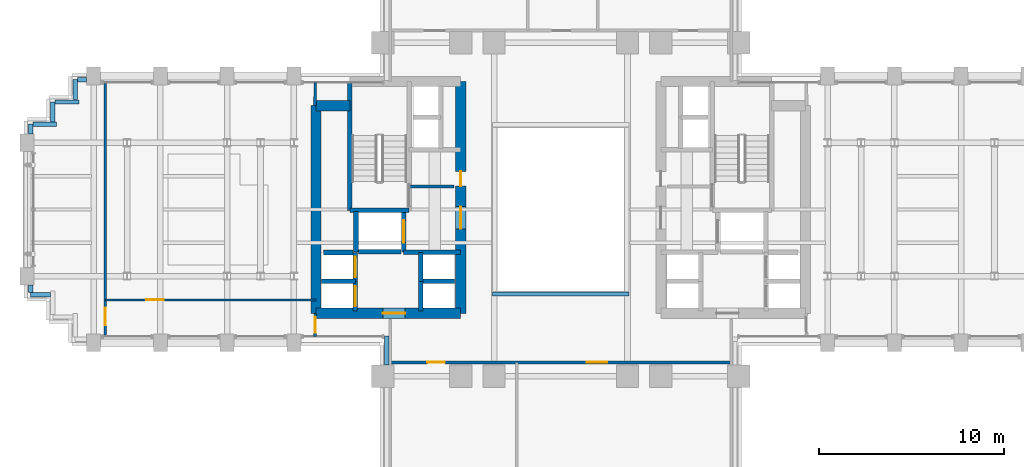
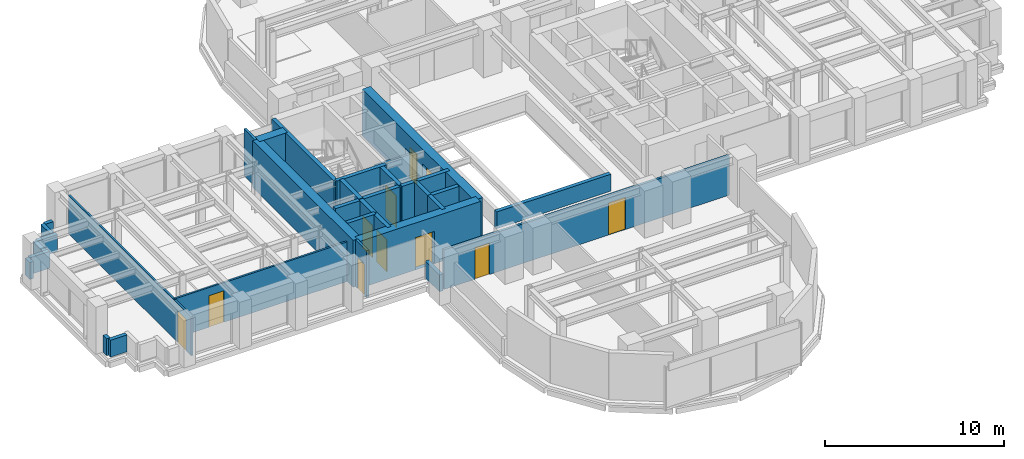
# One storey, part 10 of 16: 33 walls, 11 doors, 11 openings.
"""IFC4 building model written with IfcOpenShell, lengths in metres."""

import ifcopenshell
import ifcopenshell.guid

model = None  # the IFC model being written
_history = None  # IfcOwnerHistory: only IFC2X3 demands one
_inside = {}  # id of a spatial element -> (the spatial element, [elements in it])
_under = {}  # id of a project, library or spatial element -> (it, [spatial elements below it])
_declared = {}  # id of a project -> (the project, [libraries it declares])
_typed = {}  # id of a type object -> (the type object, [elements of that type])
_made_of = {}  # id of a material, layer set ... -> (it, [elements and type objects made of it])


def new_model(schema):
    """Start an empty IFC model of exactly this schema.

    Asked for "IFC4X3", IfcOpenShell would pick the latest addendum, in which some entities
    have other attributes; the version numbers below select the first issue.
    IFC2X3 requires an IfcOwnerHistory on every rooted entity: one is made here for all.
    """
    global model, _history
    if schema == "IFC4X3":
        model = ifcopenshell.file(schema_version=(4, 3, 0, 0))
    else:
        model = ifcopenshell.file(schema=schema)
    _inside.clear()
    _under.clear()
    _declared.clear()
    _typed.clear()
    _made_of.clear()
    _history = None
    if model.schema == "IFC2X3":
        org = make("IfcOrganization", Name="unknown")
        user = make(
            "IfcPersonAndOrganization",
            ThePerson=make("IfcPerson", FamilyName="unknown"),
            TheOrganization=org,
        )
        app = make(
            "IfcApplication",
            ApplicationDeveloper=org,
            Version="unknown",
            ApplicationFullName="unknown",
            ApplicationIdentifier="unknown",
        )
        _history = make(
            "IfcOwnerHistory",
            OwningUser=user,
            OwningApplication=app,
            ChangeAction="ADDED",
            CreationDate=0,
        )
    return model


def make(cls, **values):
    """One entity of the class cls with the attributes given. An attribute that is None is left unset."""
    return model.create_entity(
        cls, **{name: value for name, value in values.items() if value is not None}
    )


def rooted(cls, **values):
    """An entity with a GlobalId (a new one), such as an element, a storey or a relation."""
    return make(cls, GlobalId=ifcopenshell.guid.new(), OwnerHistory=_history, **values)


def si_unit(unit_type, name, prefix=None):
    """IfcSIUnit, for example si_unit("LENGTHUNIT", "METRE", prefix="MILLI")."""
    return make("IfcSIUnit", UnitType=unit_type, Prefix=prefix, Name=name)


def assignment(units):
    """IfcUnitAssignment: the units of a project."""
    return None if units is None else make("IfcUnitAssignment", Units=units)


def point(xyz):
    """IfcCartesianPoint."""
    return None if xyz is None else make("IfcCartesianPoint", Coordinates=xyz)


def direction(xyz):
    """IfcDirection."""
    return None if xyz is None else make("IfcDirection", DirectionRatios=xyz)


def frame(location, z_axis=None, x_axis=None):
    """IfcAxis2Placement3D, a coordinate frame: its origin and axes. An axis left out is left unset."""
    return make(
        "IfcAxis2Placement3D",
        Location=point(location),
        Axis=direction(z_axis),
        RefDirection=direction(x_axis),
    )


def frame_2d(location, x_axis=None):
    """IfcAxis2Placement2D, a coordinate frame in the plane: its origin and x axis."""
    return make(
        "IfcAxis2Placement2D", Location=point(location), RefDirection=direction(x_axis)
    )


def origin():
    """The frame at (0, 0, 0) with its axes left unset."""
    return frame((0.0, 0.0, 0.0))


def place(relative_to, where):
    """IfcLocalPlacement: puts the frame where relative to a parent placement (None: the world)."""
    return make(
        "IfcLocalPlacement", PlacementRelTo=relative_to, RelativePlacement=where
    )


def context(
    kind, dimensions, precision=None, world=None, true_north=None, identifier=None
):
    """IfcGeometricRepresentationContext, for example the 3D "Model" context."""
    return make(
        "IfcGeometricRepresentationContext",
        ContextIdentifier=identifier,
        ContextType=kind,
        CoordinateSpaceDimension=dimensions,
        Precision=precision,
        WorldCoordinateSystem=world,
        TrueNorth=true_north,
    )


def subcontext(parent, identifier, kind, view, scale=None):
    """IfcGeometricRepresentationSubContext, for example "Body" below "Model"."""
    return make(
        "IfcGeometricRepresentationSubContext",
        ContextIdentifier=identifier,
        ContextType=kind,
        ParentContext=parent,
        TargetScale=scale,
        TargetView=view,
    )


def project(units=None, contexts=None):
    """IfcProject with its units and contexts."""
    return rooted(
        "IfcProject",
        Name="project",
        RepresentationContexts=contexts,
        UnitsInContext=assignment(units),
    )


def spatial(cls, under=None, at=None, **own):
    """A site, building, storey or space (cls), placed at a placement, below another one or the project."""
    s = rooted(cls, ObjectPlacement=at, **own)
    if under is not None:
        _under.setdefault(under.id(), (under, []))[1].append(s)
    return s


def profile(cls, at=None, kind="AREA", **sizes):
    """A parametric profile (cls). Its sizes go by their IFC names, for example OverallWidth=200.0."""
    return make(cls, ProfileType=kind, Position=at, **sizes)


def rectangle(**sizes):
    """IfcRectangleProfileDef."""
    return profile("IfcRectangleProfileDef", **sizes)


def extrude(swept, where, along, depth):
    """IfcExtrudedAreaSolid: the profile swept, set in the frame where, extruded along a direction by depth."""
    return make(
        "IfcExtrudedAreaSolid",
        SweptArea=swept,
        Position=where,
        ExtrudedDirection=direction(along),
        Depth=depth,
    )


def shape(context_of_items, identifier, shape_type, items):
    """IfcShapeRepresentation: the items that make up one representation, for example the "Body"."""
    return make(
        "IfcShapeRepresentation",
        ContextOfItems=context_of_items,
        RepresentationIdentifier=identifier,
        RepresentationType=shape_type,
        Items=items,
    )


def source(mapping_origin, context_of_items, identifier, shape_type, items):
    """IfcRepresentationMap: a shape defined once, which mapped items show again and again."""
    return make(
        "IfcRepresentationMap",
        MappingOrigin=mapping_origin,
        MappedRepresentation=shape(context_of_items, identifier, shape_type, items),
    )


def transform(
    local_origin,
    x_axis=None,
    y_axis=None,
    z_axis=None,
    scale=None,
    scale2=None,
    scale3=None,
    uniform=True,
):
    """IfcCartesianTransformationOperator3D, or its non-uniform kind. x_axis, y_axis, z_axis: its Axis1, 2, 3."""
    if uniform:
        return make(
            "IfcCartesianTransformationOperator3D",
            Axis1=direction(x_axis),
            Axis2=direction(y_axis),
            LocalOrigin=point(local_origin),
            Scale=scale,
            Axis3=direction(z_axis),
        )
    return make(
        "IfcCartesianTransformationOperator3DnonUniform",
        Axis1=direction(x_axis),
        Axis2=direction(y_axis),
        LocalOrigin=point(local_origin),
        Scale=scale,
        Axis3=direction(z_axis),
        Scale2=scale2,
        Scale3=scale3,
    )


def mapped(mapping_source, mapping_target):
    """IfcMappedItem: shows the shape of a source again, moved by a transform."""
    return make(
        "IfcMappedItem", MappingSource=mapping_source, MappingTarget=mapping_target
    )


def material(Name=None, Category=None):
    """IfcMaterial."""
    return make("IfcMaterial", Name=Name, Category=Category)


def layer(
    of_material, thickness, ventilated=None, Name=None, Category=None, Priority=None
):
    """IfcMaterialLayer: one layer of a wall or slab, of a material (None: an air gap)."""
    return make(
        "IfcMaterialLayer",
        Material=of_material,
        LayerThickness=thickness,
        IsVentilated=ventilated,
        Name=Name,
        Category=Category,
        Priority=Priority,
    )


def layer_set(layers, Name=None):
    """IfcMaterialLayerSet."""
    return make("IfcMaterialLayerSet", MaterialLayers=layers, LayerSetName=Name)


def made_of(thing, what):
    """Note that an element or type object is made of a material, layer set ...; save() writes the relation."""
    if what is not None:
        _made_of.setdefault(what.id(), (what, []))[1].append(thing)
    return thing


def type_object(cls, material=None, **own):
    """A type object (cls), such as IfcWallType, which elements share."""
    return made_of(rooted(cls, **own), material)


def element(
    cls,
    number,
    at=None,
    inside=None,
    cuts=None,
    type_object=None,
    material=None,
    context=None,
    identifier="Body",
    shape_type=None,
    held_by="IfcProductDefinitionShape",
    body=None,
    shapes=None,
    **own,
):
    """One element of the class cls, such as IfcWall. Its Tag is "e" and its number.

    at: its placement. inside: the storey or other place that contains it. cuts: it is an
    opening in that element (IfcRelVoidsElement). A single representation is given by context,
    identifier, shape_type and body (its items); several are given by shapes. held_by: the class
    of the entity that holds the representations. save() writes the other relations.
    """
    e = rooted(cls, Tag="e%d" % number, ObjectPlacement=at, **own)
    if body is not None:
        shapes = [shape(context, identifier, shape_type, body)]
    if shapes is not None:
        e.Representation = make(held_by, Representations=shapes)
    if inside is not None:
        _inside.setdefault(inside.id(), (inside, []))[1].append(e)
    if cuts is not None:
        rooted(
            "IfcRelVoidsElement", RelatingBuildingElement=cuts, RelatedOpeningElement=e
        )
    if type_object is not None:
        _typed.setdefault(type_object.id(), (type_object, []))[1].append(e)
    return made_of(e, material)


def fill(opening, filler):
    """IfcRelFillsElement: the door or window that sits in an opening."""
    return rooted(
        "IfcRelFillsElement",
        RelatingOpeningElement=opening,
        RelatedBuildingElement=filler,
    )


def aggregate(whole, parts):
    """IfcRelAggregates: a whole, such as a stair, and the parts it consists of."""
    return rooted("IfcRelAggregates", RelatingObject=whole, RelatedObjects=parts)


def save(model, path):
    """Write the relations noted so far, then the file.

    IfcRelAggregates (storeys below a building ...), IfcRelContainedInSpatialStructure (elements
    in a storey), IfcRelDefinesByType, IfcRelAssociatesMaterial and IfcRelDeclares: one each for
    every whole, place, type object, material and project.
    """
    for whole, parts in _under.values():
        aggregate(whole, parts)
    for where, things in _inside.values():
        rooted(
            "IfcRelContainedInSpatialStructure",
            RelatedElements=things,
            RelatingStructure=where,
        )
    for kind, things in _typed.values():
        rooted("IfcRelDefinesByType", RelatedObjects=things, RelatingType=kind)
    for what, things in _made_of.values():
        rooted("IfcRelAssociatesMaterial", RelatedObjects=things, RelatingMaterial=what)
    for by, libraries in _declared.values():
        rooted("IfcRelDeclares", RelatingContext=by, RelatedDefinitions=libraries)
    model.write(path)


model = new_model("IFC4")

# Units and contexts
model_context = context("Model", 3, precision=1e-05, world=origin(), true_north=direction((0.0, 1.0)))
body_context = subcontext(model_context, "Body", "Model", "MODEL_VIEW")
ifc_project = project(units=[si_unit("LENGTHUNIT", "METRE"), si_unit("AREAUNIT", "SQUARE_METRE"), si_unit("VOLUMEUNIT", "CUBIC_METRE"), si_unit("PLANEANGLEUNIT", "RADIAN"), si_unit("MASSUNIT", "GRAM", prefix="KILO")], contexts=[model_context])

# Site, building, storey
site_placement = place(None, origin())
site = spatial("IfcSite", under=ifc_project, at=site_placement, CompositionType="ELEMENT")
building_placement = place(site_placement, origin())
building = spatial("IfcBuilding", under=site, at=building_placement, Name="Keilestroom Media Tower", CompositionType="ELEMENT")
storey_placement = place(building_placement, frame((0.0, 0.0, 30.60009765625)))
storey = spatial("IfcBuildingStorey", under=building, at=storey_placement, Name="L06", CompositionType="ELEMENT", Elevation=30.60009765625)

# Wall, opening, door
ifc_material_1 = material(Name="Gypsum Plasterboard & Steel Stud", Category="steel")
ifc_layer_1 = layer(ifc_material_1, 0.1201171875)
ifc_layer_set_1 = layer_set([ifc_layer_1], Name="Gypsum Plasterboard & Steel Stud")
wall_type_1 = type_object("IfcWallType", Name="Interior-Partition-Wall-120", PredefinedType="PARTITIONING", material=ifc_layer_set_1)
wall_1_placement = place(storey_placement, frame((-24.570068359375, -4.8798828125, 0.0), z_axis=(0.0, 0.0, 1.0), x_axis=(1.0, 0.0, 0.0)))
wall_1 = element("IfcWall", 1, at=wall_1_placement, inside=storey, type_object=wall_type_1, Name="L06 Interior Wall WP-L06-WA-CN", PredefinedType="PARTITIONING", context=body_context, shape_type="SweptSolid", body=[
    extrude(rectangle(XDim=11.3701171875, YDim=0.1201171875, at=frame_2d((5.68505859375, 0.0))), origin(), (0.0, 0.0, 1.0), 2.699951171875),
])
opening_1_placement = place(wall_1_placement, frame((2.199951171875, 0.0, 0.0)))
opening_1 = element("IfcOpeningElement", 2, at=opening_1_placement, cuts=wall_1, Name="Opening DI-03", PredefinedType="OPENING", context=body_context, shape_type="SweptSolid", body=[
    extrude(rectangle(XDim=0.949951171875, YDim=2.14990234375, at=frame_2d((0.47509765625, 1.074951171875))), frame((0.0, 0.070068359375, 0.0), z_axis=(0.0, -1.0, 0.0), x_axis=(1.0, 0.0, 0.0)), (0.0, 0.0, 1.0), 0.14013671875),
])
ifc_material_2 = material(Name="Lacquered European Oak Leaf", Category="wood")
door_type_1 = type_object("IfcDoorType", Name="Interior-Room-And-Suite-Door-DI-03", OperationType="NOTDEFINED", PredefinedType="DOOR", material=ifc_material_2)
shared_shape_1 = source(origin(), body_context, "Body", "SweptSolid", [
    extrude(rectangle(XDim=0.949951171875, YDim=2.14990234375, at=frame_2d((0.47509765625, 1.074951171875))), frame((0.0, 0.02490234375, 0.0), z_axis=(0.0, -1.0, 0.0), x_axis=(1.0, 0.0, 0.0)), (0.0, 0.0, 1.0), 0.050048828125),
])
door_1_placement = place(opening_1_placement, origin())
door_1 = element("IfcDoor", 3, at=door_1_placement, inside=storey, type_object=door_type_1, Name="L06 Interior Door DI-L06-DWA-RN", OperationType="SINGLE_SWING_LEFT", OverallHeight=2.14990234375, OverallWidth=0.949951171875, PredefinedType="DOOR", context=body_context, shape_type="MappedRepresentation", body=[
    mapped(shared_shape_1, transform((0.0, 0.0, 0.0), x_axis=(1.0, 0.0, 0.0), y_axis=(0.0, 1.0, 0.0), z_axis=(0.0, 0.0, 1.0), scale=1.0)),
])
fill(opening_1, door_1)

wall_2_placement = place(storey_placement, frame((-24.570068359375, -6.85009765625, 0.0), z_axis=(0.0, 0.0, 1.0), x_axis=(0.0, 1.0, 0.0)))
wall_2 = element("IfcWall", 4, at=wall_2_placement, inside=storey, type_object=wall_type_1, Name="L06 Interior Wall WP-L06-WA-CE", PredefinedType="PARTITIONING", context=body_context, shape_type="SweptSolid", body=[
    extrude(rectangle(XDim=13.7001953125, YDim=0.1201171875, at=frame_2d((6.85009765625, 0.0))), origin(), (0.0, 0.0, 1.0), 2.64990234375),
])
opening_2_placement = place(wall_2_placement, frame((0.60009765625, 0.0, 0.0)))
opening_2 = element("IfcOpeningElement", 5, at=opening_2_placement, cuts=wall_2, Name="Opening DI-03", PredefinedType="OPENING", context=body_context, shape_type="SweptSolid", body=[
    extrude(rectangle(XDim=0.949951171875, YDim=2.14990234375, at=frame_2d((0.47509765625, 1.074951171875))), frame((0.0, 0.070068359375, 0.0), z_axis=(0.0, -1.0, 0.0), x_axis=(1.0, 0.0, 0.0)), (0.0, 0.0, 1.0), 0.14013671875),
])
door_2_placement = place(opening_2_placement, origin())
door_2 = element("IfcDoor", 6, at=door_2_placement, inside=storey, type_object=door_type_1, Name="L06 Interior Door DI-L06-DWA-END", OperationType="SINGLE_SWING_RIGHT", OverallHeight=2.14990234375, OverallWidth=0.949951171875, PredefinedType="DOOR", context=body_context, shape_type="MappedRepresentation", body=[
    mapped(shared_shape_1, transform((0.0, 0.0, 0.0), x_axis=(1.0, 0.0, 0.0), y_axis=(0.0, 1.0, 0.0), z_axis=(0.0, 0.0, 1.0), scale=1.0)),
])
fill(opening_2, door_2)

# Wall
ifc_layer_2 = layer(ifc_material_1, 0.14990234375)
ifc_layer_set_2 = layer_set([ifc_layer_2], Name="Gypsum Plasterboard & Steel Stud")
wall_type_2 = type_object("IfcWallType", Name="Interior-Partition-Wall-150", PredefinedType="PARTITIONING", material=ifc_layer_set_2)
wall_3_placement = place(storey_placement, frame((-8.139892578125, 1.239990234375, 0.0), z_axis=(0.0, 0.0, 1.0), x_axis=(1.0, 0.0, 0.0)))
element("IfcWall", 7, at=wall_3_placement, inside=storey, type_object=wall_type_2, Name="L06 Interior Wall WP-L06-FFW-TOP", PredefinedType="PARTITIONING", context=body_context, shape_type="SweptSolid", body=[
    extrude(rectangle(XDim=2.389892578125, YDim=0.14990234375, at=frame_2d((1.19482421875, 0.0))), origin(), (0.0, 0.0, 1.0), 2.2998046875),
])

# Wall, openings, doors
wall_4_placement = place(storey_placement, frame((-9.199951171875, -8.25, 0.0), z_axis=(0.0, 0.0, 1.0), x_axis=(1.0, 0.0, 0.0)))
wall_4 = element("IfcWall", 8, at=wall_4_placement, inside=storey, type_object=wall_type_2, Name="L06 Interior Wall WP-L06-SL-BASE", PredefinedType="PARTITIONING", context=body_context, shape_type="SweptSolid", body=[
    extrude(rectangle(XDim=18.39990234375, YDim=0.14990234375, at=frame_2d((9.199951171875, 0.0))), origin(), (0.0, 0.0, 1.0), 2.699951171875),
])
opening_3_placement = place(wall_4_placement, frame((2.0, 0.0, 0.0)))
opening_3 = element("IfcOpeningElement", 9, at=opening_3_placement, cuts=wall_4, Name="Opening DI-03", PredefinedType="OPENING", context=body_context, shape_type="SweptSolid", body=[
    extrude(rectangle(XDim=0.949951171875, YDim=2.14990234375, at=frame_2d((0.47509765625, 1.074951171875))), frame((0.0, 0.0849609375, 0.0), z_axis=(0.0, -1.0, 0.0), x_axis=(1.0, 0.0, 0.0)), (0.0, 0.0, 1.0), 0.169921875),
])
opening_4_placement = place(wall_4_placement, frame((10.60009765625, 0.0, 0.0)))
opening_4 = element("IfcOpeningElement", 10, at=opening_4_placement, cuts=wall_4, Name="Opening DI-04", PredefinedType="OPENING", context=body_context, shape_type="SweptSolid", body=[
    extrude(rectangle(XDim=1.10009765625, YDim=2.199951171875, at=frame_2d((0.550048828125, 1.10009765625))), frame((0.0, 0.0849609375, 0.0), z_axis=(0.0, -1.0, 0.0), x_axis=(1.0, 0.0, 0.0)), (0.0, 0.0, 1.0), 0.169921875),
])
door_3_placement = place(opening_3_placement, origin())
door_3 = element("IfcDoor", 11, at=door_3_placement, inside=storey, type_object=door_type_1, Name="L06 Interior Door DI-L06-DSL-W", OperationType="SINGLE_SWING_LEFT", OverallHeight=2.14990234375, OverallWidth=0.949951171875, PredefinedType="DOOR", context=body_context, shape_type="MappedRepresentation", body=[
    mapped(shared_shape_1, transform((0.0, 0.0, 0.0), x_axis=(1.0, 0.0, 0.0), y_axis=(0.0, 1.0, 0.0), z_axis=(0.0, 0.0, 1.0), scale=1.0)),
])
fill(opening_3, door_3)
ifc_material_3 = material(Name="Acoustic Glazed Aluminium Leaf", Category="aluminium")
door_type_2 = type_object("IfcDoorType", Name="Interior-Room-And-Suite-Door-DI-04", OperationType="NOTDEFINED", PredefinedType="DOOR", material=ifc_material_3)
shared_shape_2 = source(origin(), body_context, "Body", "SweptSolid", [
    extrude(rectangle(XDim=1.10009765625, YDim=2.199951171875, at=frame_2d((0.550048828125, 1.10009765625))), frame((0.0, 0.02490234375, 0.0), z_axis=(0.0, -1.0, 0.0), x_axis=(1.0, 0.0, 0.0)), (0.0, 0.0, 1.0), 0.050048828125),
])
door_4_placement = place(opening_4_placement, origin())
door_4 = element("IfcDoor", 12, at=door_4_placement, inside=storey, type_object=door_type_2, Name="L06 Interior Door DI-L06-DSL-E", OperationType="SINGLE_SWING_RIGHT", OverallHeight=2.199951171875, OverallWidth=1.10009765625, PredefinedType="DOOR", context=body_context, shape_type="MappedRepresentation", body=[
    mapped(shared_shape_2, transform((0.0, 0.0, 0.0), x_axis=(1.0, 0.0, 0.0), y_axis=(0.0, 1.0, 0.0), z_axis=(0.0, 0.0, 1.0), scale=1.0)),
])
fill(opening_4, door_4)

# Wall
wall_5_placement = place(storey_placement, frame((-13.260009765625, 5.60009765625, 0.0), z_axis=(0.0, 0.0, 1.0), x_axis=(0.016013571389, 0.999871774545, 0.0)))
element("IfcWall", 13, at=wall_5_placement, inside=storey, type_object=wall_type_2, Name="L06 Interior Wall WP-L06-WA-ENTN", PredefinedType="PARTITIONING", context=body_context, shape_type="SweptSolid", body=[
    extrude(rectangle(XDim=1.250244140625, YDim=0.14990234375, at=frame_2d((0.625, 0.0))), origin(), (0.0, 0.0, 1.0), 3.199951171875),
])

# Wall, opening, door
wall_6_placement = place(storey_placement, frame((-13.260009765625, -6.85009765625, 0.0), z_axis=(0.0, 0.0, 1.0), x_axis=(0.016013571389, 0.999871774545, 0.0)))
wall_6 = element("IfcWall", 14, at=wall_6_placement, inside=storey, type_object=wall_type_2, Name="L06 Interior Wall WP-L06-WA-ENTS", PredefinedType="PARTITIONING", context=body_context, shape_type="SweptSolid", body=[
    extrude(rectangle(XDim=1.250244140625, YDim=0.14990234375, at=frame_2d((0.625, 0.0))), origin(), (0.0, 0.0, 1.0), 3.199951171875),
])
opening_5_placement = place(wall_6_placement, frame((0.199951171875, 0.0, 0.0)))
opening_5 = element("IfcOpeningElement", 15, at=opening_5_placement, cuts=wall_6, Name="Opening DI-05", PredefinedType="OPENING", context=body_context, shape_type="SweptSolid", body=[
    extrude(rectangle(XDim=0.85009765625, YDim=2.10009765625, at=frame_2d((0.425048828125, 1.050048828125))), frame((0.0, 0.0849609375, 0.0), z_axis=(0.0, -1.0, 0.0), x_axis=(1.0, 0.0, 0.0)), (0.0, 0.0, 1.0), 0.169921875),
])
ifc_material_4 = material(Name="Moisture-Resistant Oak Leaf", Category="wood")
door_type_3 = type_object("IfcDoorType", Name="Interior-En-Suite-And-Cupboard-Door-DI-05", OperationType="NOTDEFINED", PredefinedType="DOOR", material=ifc_material_4)
shared_shape_3 = source(origin(), body_context, "Body", "SweptSolid", [
    extrude(rectangle(XDim=0.85009765625, YDim=2.10009765625, at=frame_2d((0.425048828125, 1.050048828125))), frame((0.0, 0.02490234375, 0.0), z_axis=(0.0, -1.0, 0.0), x_axis=(1.0, 0.0, 0.0)), (0.0, 0.0, 1.0), 0.050048828125),
])
door_5_placement = place(opening_5_placement, origin())
door_5 = element("IfcDoor", 16, at=door_5_placement, inside=storey, type_object=door_type_3, Name="L06 Interior Door DI-L06-DWA-ENTS", OperationType="SINGLE_SWING_LEFT", OverallHeight=2.10009765625, OverallWidth=0.85009765625, PredefinedType="DOOR", context=body_context, shape_type="MappedRepresentation", body=[
    mapped(shared_shape_3, transform((0.0, 0.0, 0.0), x_axis=(1.0, 0.0, 0.0), y_axis=(0.0, 1.0, 0.0), z_axis=(0.0, 0.0, 1.0), scale=1.0)),
])
fill(opening_5, door_5)

# Wall
ifc_material_5 = material(Name="Concrete C70/85", Category="concrete")
ifc_layer_3 = layer(ifc_material_5, 0.550048828125)
ifc_layer_set_3 = layer_set([ifc_layer_3], Name="Concrete C70/85")
wall_type_3 = type_object("IfcWallType", Name="Reinforced-Concrete-Core-Shear-Wall-550", PredefinedType="SHEAR", material=ifc_layer_set_3)
wall_7_placement = place(storey_placement, frame((-13.199951171875, -5.60009765625, 0.0), z_axis=(0.0, 0.0, 1.0), x_axis=(0.0, 1.0, 0.0)))
element("IfcWall", 17, at=wall_7_placement, inside=storey, type_object=wall_type_3, Name="L06 Core Shear Wall WL-L06-CORE-W-OUT", PredefinedType="SHEAR", context=body_context, shape_type="SweptSolid", body=[
    extrude(rectangle(XDim=11.2001953125, YDim=0.550048828125, at=frame_2d((5.60009765625, 0.0))), origin(), (0.0, 0.0, 1.0), 3.199951171875),
])

# Wall, openings, doors
wall_8_placement = place(storey_placement, frame((-5.39990234375, -5.60009765625, 0.0), z_axis=(0.0, 0.0, 1.0), x_axis=(0.0, 1.0, 0.0)))
wall_8 = element("IfcWall", 18, at=wall_8_placement, inside=storey, type_object=wall_type_3, Name="L06 Core Shear Wall WL-L06-CORE-W-IN", PredefinedType="SHEAR", context=body_context, shape_type="SweptSolid", body=[
    extrude(rectangle(XDim=12.5, YDim=0.550048828125, at=frame_2d((6.25, 0.0))), origin(), (0.0, 0.0, 1.0), 3.199951171875),
])
opening_6_placement = place(wall_8_placement, frame((4.550048828125, 0.0, 0.0)))
opening_6 = element("IfcOpeningElement", 19, at=opening_6_placement, cuts=wall_8, Name="Opening DI-02", PredefinedType="OPENING", context=body_context, shape_type="SweptSolid", body=[
    extrude(rectangle(XDim=1.199951171875, YDim=2.199951171875, at=frame_2d((0.60009765625, 1.10009765625))), frame((0.0, 0.28515625, 0.0), z_axis=(0.0, -1.0, 0.0), x_axis=(1.0, 0.0, 0.0)), (0.0, 0.0, 1.0), 0.570068359375),
])
opening_7_placement = place(wall_8_placement, frame((6.860107421875, 0.0, 0.0)))
opening_7 = element("IfcOpeningElement", 20, at=opening_7_placement, cuts=wall_8, Name="Opening DI-06", PredefinedType="OPENING", context=body_context, shape_type="SweptSolid", body=[
    extrude(rectangle(XDim=0.800048828125, YDim=2.10009765625, at=frame_2d((0.39990234375, 1.050048828125))), frame((0.0, 0.28515625, 0.0), z_axis=(0.0, -1.0, 0.0), x_axis=(1.0, 0.0, 0.0)), (0.0, 0.0, 1.0), 0.570068359375),
])
ifc_material_6 = material(Name="Powder-Coated Steel Fire Leaf", Category="steel")
door_type_4 = type_object("IfcDoorType", Name="Interior-Compartment-Fire-Door-DI-02", OperationType="NOTDEFINED", PredefinedType="DOOR", material=ifc_material_6)
shared_shape_4 = source(origin(), body_context, "Body", "SweptSolid", [
    extrude(rectangle(XDim=1.199951171875, YDim=2.199951171875, at=frame_2d((0.60009765625, 1.10009765625))), frame((0.0, 0.02490234375, 0.0), z_axis=(0.0, -1.0, 0.0), x_axis=(1.0, 0.0, 0.0)), (0.0, 0.0, 1.0), 0.050048828125),
])
door_6_placement = place(opening_6_placement, origin())
door_6 = element("IfcDoor", 21, at=door_6_placement, inside=storey, type_object=door_type_4, Name="L06 W Firefighting Lobby Door", OperationType="SINGLE_SWING_RIGHT", OverallHeight=2.199951171875, OverallWidth=1.199951171875, PredefinedType="DOOR", context=body_context, shape_type="MappedRepresentation", body=[
    mapped(shared_shape_4, transform((0.0, 0.0, 0.0), x_axis=(1.0, 0.0, 0.0), y_axis=(0.0, 1.0, 0.0), z_axis=(0.0, 0.0, 1.0), scale=1.0)),
])
fill(opening_6, door_6)
ifc_material_7 = material(Name="Powder-Coated Steel Service Leaf", Category="steel")
door_type_5 = type_object("IfcDoorType", Name="Interior-Riser-Access-Door-DI-06", OperationType="NOTDEFINED", PredefinedType="DOOR", material=ifc_material_7)
shared_shape_5 = source(origin(), body_context, "Body", "SweptSolid", [
    extrude(rectangle(XDim=0.800048828125, YDim=2.10009765625, at=frame_2d((0.39990234375, 1.050048828125))), frame((0.0, 0.02490234375, 0.0), z_axis=(0.0, -1.0, 0.0), x_axis=(1.0, 0.0, 0.0)), (0.0, 0.0, 1.0), 0.050048828125),
])
door_7_placement = place(opening_7_placement, origin())
door_7 = element("IfcDoor", 22, at=door_7_placement, inside=storey, type_object=door_type_5, Name="L06 West Core Switchroom Door", OperationType="SINGLE_SWING_LEFT", OverallHeight=2.10009765625, OverallWidth=0.800048828125, PredefinedType="DOOR", context=body_context, shape_type="MappedRepresentation", body=[
    mapped(shared_shape_5, transform((0.0, 0.0, 0.0), x_axis=(1.0, 0.0, 0.0), y_axis=(0.0, 1.0, 0.0), z_axis=(0.0, 0.0, 1.0), scale=1.0)),
])
fill(opening_7, door_7)

# Wall
wall_9_placement = place(storey_placement, frame((-13.199951171875, 5.60009765625, 0.0), z_axis=(0.0, 0.0, 1.0), x_axis=(1.0, 0.0, 0.0)))
element("IfcWall", 23, at=wall_9_placement, inside=storey, type_object=wall_type_3, Name="L06 Core Shear Wall WL-L06-CNW-N", PredefinedType="SHEAR", context=body_context, shape_type="SweptSolid", body=[
    extrude(rectangle(XDim=1.81884765625, YDim=0.550048828125, at=frame_2d((0.909423828125, 0.0))), origin(), (0.0, 0.0, 1.0), 3.199951171875),
])

# Wall, opening, door
wall_10_placement = place(storey_placement, frame((-13.199951171875, -5.60009765625, 0.0), z_axis=(0.0, 0.0, 1.0), x_axis=(1.0, 0.0, 0.0)))
wall_10 = element("IfcWall", 24, at=wall_10_placement, inside=storey, type_object=wall_type_3, Name="L06 Core Shear Wall WL-L06-CORE-W-S", PredefinedType="SHEAR", context=body_context, shape_type="SweptSolid", body=[
    extrude(rectangle(XDim=7.800048828125, YDim=0.550048828125, at=frame_2d((3.89990234375, 0.0))), origin(), (0.0, 0.0, 1.0), 3.199951171875),
])
opening_8_placement = place(wall_10_placement, frame((3.60009765625, 0.0, 0.0)))
opening_8 = element("IfcOpeningElement", 25, at=opening_8_placement, cuts=wall_10, Name="Opening DI-02", PredefinedType="OPENING", context=body_context, shape_type="SweptSolid", body=[
    extrude(rectangle(XDim=1.199951171875, YDim=2.199951171875, at=frame_2d((0.60009765625, 1.10009765625))), frame((0.0, 0.28515625, 0.0), z_axis=(0.0, -1.0, 0.0), x_axis=(1.0, 0.0, 0.0)), (0.0, 0.0, 1.0), 0.570068359375),
])
door_8_placement = place(opening_8_placement, origin())
door_8 = element("IfcDoor", 26, at=door_8_placement, inside=storey, type_object=door_type_4, Name="L06 W Passenger Lift Lobby Door", OperationType="SINGLE_SWING_LEFT", OverallHeight=2.199951171875, OverallWidth=1.199951171875, PredefinedType="DOOR", context=body_context, shape_type="MappedRepresentation", body=[
    mapped(shared_shape_4, transform((0.0, 0.0, 0.0), x_axis=(1.0, 0.0, 0.0), y_axis=(0.0, 1.0, 0.0), z_axis=(0.0, 0.0, 1.0), scale=1.0)),
])
fill(opening_8, door_8)

# Walls
ifc_material_8 = material(Name="Concrete C50/60", Category="concrete")
ifc_layer_4 = layer(ifc_material_8, 0.25)
ifc_layer_set_4 = layer_set([ifc_layer_4], Name="Concrete C50/60")
wall_type_4 = type_object("IfcWallType", Name="Reinforced-Concrete-Shaft-Wall-250", PredefinedType="SOLIDWALL", material=ifc_layer_set_4)
wall_11_placement = place(storey_placement, frame((-8.47998046875, -2.300048828125, 0.0), z_axis=(0.0, 0.0, 1.0), x_axis=(1.0, 0.0, 0.0)))
element("IfcWall", 27, at=wall_11_placement, inside=storey, type_object=wall_type_4, Name="L06 Core Shear Wall WL-L06-CORE-W-FFS", PredefinedType="SOLIDWALL", context=body_context, shape_type="SweptSolid", body=[
    extrude(rectangle(XDim=3.080078125, YDim=0.25, at=frame_2d((1.5400390625, 0.0))), origin(), (0.0, 0.0, 1.0), 3.199951171875),
])
wall_12_placement = place(storey_placement, frame((-11.381103515625, -0.041015625, 0.0), z_axis=(0.0, 0.0, 1.0), x_axis=(0.0, 1.0, 0.0)))
element("IfcWall", 28, at=wall_12_placement, inside=storey, type_object=wall_type_4, Name="L06 Core Shear Wall WL-L06-STW-W-FAR", PredefinedType="SOLIDWALL", context=body_context, shape_type="SweptSolid", body=[
    extrude(rectangle(XDim=6.94091796875, YDim=0.25, at=frame_2d((3.470458984375, 0.0))), origin(), (0.0, 0.0, 1.0), 3.199951171875),
])
wall_13_placement = place(storey_placement, frame((-11.381103515625, -0.041015625, 0.0), z_axis=(0.0, 0.0, 1.0), x_axis=(1.0, 0.0, 0.0)))
element("IfcWall", 29, at=wall_13_placement, inside=storey, type_object=wall_type_4, Name="L06 Core Shear Wall WL-L06-STW-W-S", PredefinedType="SOLIDWALL", context=body_context, shape_type="SweptSolid", body=[
    extrude(rectangle(XDim=3.2021484375, YDim=0.25, at=frame_2d((1.60107421875, 0.0))), origin(), (0.0, 0.0, 1.0), 3.199951171875),
])
wall_14_placement = place(storey_placement, frame((-11.050048828125, -2.280029296875, 0.0), z_axis=(0.0, 0.0, 1.0), x_axis=(0.0, 1.0, 0.0)))
element("IfcWall", 30, at=wall_14_placement, inside=storey, type_object=wall_type_4, Name="L06 Core Shear Wall WL-L06-LSH-FFL-1-W", PredefinedType="SOLIDWALL", context=body_context, shape_type="SweptSolid", body=[
    extrude(rectangle(XDim=2.179931640625, YDim=0.25, at=frame_2d((1.08984375, 0.0))), origin(), (0.0, 0.0, 1.0), 3.199951171875),
])

# Wall, opening, door
wall_15_placement = place(storey_placement, frame((-8.47998046875, -2.280029296875, 0.0), z_axis=(0.0, 0.0, 1.0), x_axis=(0.0, 1.0, 0.0)))
wall_15 = element("IfcWall", 31, at=wall_15_placement, inside=storey, type_object=wall_type_4, Name="L06 Core Shear Wall WL-L06-LSH-FFL-1-E", PredefinedType="SOLIDWALL", context=body_context, shape_type="SweptSolid", body=[
    extrude(rectangle(XDim=2.179931640625, YDim=0.25, at=frame_2d((1.08984375, 0.0))), origin(), (0.0, 0.0, 1.0), 3.199951171875),
])
opening_9_placement = place(wall_15_placement, frame((0.489990234375, 0.0, 0.0)))
opening_9 = element("IfcOpeningElement", 32, at=opening_9_placement, cuts=wall_15, Name="Opening LD-02", PredefinedType="OPENING", context=body_context, shape_type="SweptSolid", body=[
    extrude(rectangle(XDim=1.199951171875, YDim=2.199951171875, at=frame_2d((0.60009765625, 1.10009765625))), frame((0.0, 0.135009765625, 0.0), z_axis=(0.0, -1.0, 0.0), x_axis=(1.0, 0.0, 0.0)), (0.0, 0.0, 1.0), 0.27001953125),
])
ifc_material_9 = material(Name="Brushed Stainless Steel Sliding Leaf", Category="steel")
door_type_6 = type_object("IfcDoorType", Name="Lift-Landing-Sliding-Door-LD-02", OperationType="SLIDING_TO_RIGHT", PredefinedType="DOOR", material=ifc_material_9)
door_9_placement = place(opening_9_placement, origin())
door_9 = element("IfcDoor", 33, at=door_9_placement, inside=storey, type_object=door_type_6, Name="L06 Lift FFL-1 Landing Sliding Door", OperationType="SLIDING_TO_RIGHT", OverallHeight=2.199951171875, OverallWidth=1.199951171875, PredefinedType="DOOR", context=body_context, shape_type="MappedRepresentation", body=[
    mapped(shared_shape_4, transform((0.0, 0.0, 0.0), x_axis=(1.0, 0.0, 0.0), y_axis=(0.0, 1.0, 0.0), z_axis=(0.0, 0.0, 1.0), scale=1.0)),
])
fill(opening_9, door_9)

# Wall
wall_16_placement = place(storey_placement, frame((-10.9208984375, -2.280029296875, 0.0), z_axis=(0.0, 0.0, 1.0), x_axis=(1.0, 0.0, 0.0)))
element("IfcWall", 34, at=wall_16_placement, inside=storey, type_object=wall_type_4, Name="L06 Core Shear Wall WL-L06-LSH-FFL-1-S", PredefinedType="SOLIDWALL", context=body_context, shape_type="SweptSolid", body=[
    extrude(rectangle(XDim=2.31201171875, YDim=0.25, at=frame_2d((1.156005859375, 0.0))), origin(), (0.0, 0.0, 1.0), 3.199951171875),
])

# Wall, opening, door
wall_17_placement = place(storey_placement, frame((-11.080078125, -5.47998046875, 0.0), z_axis=(0.0, 0.0, 1.0), x_axis=(0.0, 1.0, 0.0)))
wall_17 = element("IfcWall", 35, at=wall_17_placement, inside=storey, type_object=wall_type_4, Name="L06 Core Shear Wall WL-L06-LSH-PL-L1-E", PredefinedType="SOLIDWALL", context=body_context, shape_type="SweptSolid", body=[
    extrude(rectangle(XDim=1.60009765625, YDim=0.25, at=frame_2d((0.800048828125, 0.0))), origin(), (0.0, 0.0, 1.0), 3.199951171875),
])
opening_10_placement = place(wall_17_placement, frame((0.25, 0.0, 0.0)))
opening_10 = element("IfcOpeningElement", 36, at=opening_10_placement, cuts=wall_17, Name="Opening LD-01", PredefinedType="OPENING", context=body_context, shape_type="SweptSolid", body=[
    extrude(rectangle(XDim=1.10009765625, YDim=2.199951171875, at=frame_2d((0.550048828125, 1.10009765625))), frame((0.0, 0.135009765625, 0.0), z_axis=(0.0, -1.0, 0.0), x_axis=(1.0, 0.0, 0.0)), (0.0, 0.0, 1.0), 0.27001953125),
])
door_type_7 = type_object("IfcDoorType", Name="Lift-Landing-Sliding-Door-LD-01", OperationType="SLIDING_TO_LEFT", PredefinedType="DOOR", material=ifc_material_9)
door_10_placement = place(opening_10_placement, origin())
door_10 = element("IfcDoor", 37, at=door_10_placement, inside=storey, type_object=door_type_7, Name="L06 Lift PL-L1 Landing Sliding Door", OperationType="SLIDING_TO_LEFT", OverallHeight=2.199951171875, OverallWidth=1.10009765625, PredefinedType="DOOR", context=body_context, shape_type="MappedRepresentation", body=[
    mapped(shared_shape_2, transform((0.0, 0.0, 0.0), x_axis=(1.0, 0.0, 0.0), y_axis=(0.0, 1.0, 0.0), z_axis=(0.0, 0.0, 1.0), scale=1.0)),
])
fill(opening_10, door_10)

# Wall
wall_18_placement = place(storey_placement, frame((-12.919921875, -3.8798828125, 0.0), z_axis=(0.0, 0.0, 1.0), x_axis=(1.0, 0.0, 0.0)))
element("IfcWall", 38, at=wall_18_placement, inside=storey, type_object=wall_type_4, Name="L06 Core Shear Wall WL-L06-LSH-PL-L1-N", PredefinedType="SOLIDWALL", context=body_context, shape_type="SweptSolid", body=[
    extrude(rectangle(XDim=1.83984375, YDim=0.25, at=frame_2d((0.919921875, 0.0))), origin(), (0.0, 0.0, 1.0), 3.199951171875),
])

# Wall, opening, door
wall_19_placement = place(storey_placement, frame((-11.080078125, -3.8798828125, 0.0), z_axis=(0.0, 0.0, 1.0), x_axis=(0.0, 1.0, 0.0)))
wall_19 = element("IfcWall", 39, at=wall_19_placement, inside=storey, type_object=wall_type_4, Name="L06 Core Shear Wall WL-L06-LSH-PL-L2-E", PredefinedType="SOLIDWALL", context=body_context, shape_type="SweptSolid", body=[
    extrude(rectangle(XDim=1.559814453125, YDim=0.25, at=frame_2d((0.77978515625, 0.0))), origin(), (0.0, 0.0, 1.0), 3.199951171875),
])
opening_11_placement = place(wall_19_placement, frame((0.22998046875, 0.0, 0.0)))
opening_11 = element("IfcOpeningElement", 40, at=opening_11_placement, cuts=wall_19, Name="Opening LD-01", PredefinedType="OPENING", context=body_context, shape_type="SweptSolid", body=[
    extrude(rectangle(XDim=1.10009765625, YDim=2.199951171875, at=frame_2d((0.550048828125, 1.10009765625))), frame((0.0, 0.135009765625, 0.0), z_axis=(0.0, -1.0, 0.0), x_axis=(1.0, 0.0, 0.0)), (0.0, 0.0, 1.0), 0.27001953125),
])
door_11_placement = place(opening_11_placement, origin())
door_11 = element("IfcDoor", 41, at=door_11_placement, inside=storey, type_object=door_type_7, Name="L06 Lift PL-L2 Landing Sliding Door", OperationType="SLIDING_TO_LEFT", OverallHeight=2.199951171875, OverallWidth=1.10009765625, PredefinedType="DOOR", context=body_context, shape_type="MappedRepresentation", body=[
    mapped(shared_shape_2, transform((0.0, 0.0, 0.0), x_axis=(1.0, 0.0, 0.0), y_axis=(0.0, 1.0, 0.0), z_axis=(0.0, 0.0, 1.0), scale=1.0)),
])
fill(opening_11, door_11)

# Walls
wall_20_placement = place(storey_placement, frame((-12.791015625, -2.320068359375, 0.0), z_axis=(0.0, 0.0, 1.0), x_axis=(1.0, 0.0, 0.0)))
element("IfcWall", 42, at=wall_20_placement, inside=storey, type_object=wall_type_4, Name="L06 Core Shear Wall WL-L06-LSH-PL-L2-N", PredefinedType="SOLIDWALL", context=body_context, shape_type="SweptSolid", body=[
    extrude(rectangle(XDim=1.58203125, YDim=0.25, at=frame_2d((0.791015625, 0.0))), origin(), (0.0, 0.0, 1.0), 3.199951171875),
])
wall_21_placement = place(storey_placement, frame((-7.56005859375, -5.47998046875, 0.0), z_axis=(0.0, 0.0, 1.0), x_axis=(0.0, 1.0, 0.0)))
element("IfcWall", 43, at=wall_21_placement, inside=storey, type_object=wall_type_4, Name="L06 Core Shear Wall WL-L06-LSH-PL-M1-W", PredefinedType="SOLIDWALL", context=body_context, shape_type="SweptSolid", body=[
    extrude(rectangle(XDim=1.60009765625, YDim=0.25, at=frame_2d((0.800048828125, 0.0))), origin(), (0.0, 0.0, 1.0), 3.199951171875),
])
wall_22_placement = place(storey_placement, frame((-7.56005859375, -3.8798828125, 0.0), z_axis=(0.0, 0.0, 1.0), x_axis=(1.0, 0.0, 0.0)))
element("IfcWall", 44, at=wall_22_placement, inside=storey, type_object=wall_type_4, Name="L06 Core Shear Wall WL-L06-LSH-PL-M1-N", PredefinedType="SOLIDWALL", context=body_context, shape_type="SweptSolid", body=[
    extrude(rectangle(XDim=1.840087890625, YDim=0.25, at=frame_2d((0.919921875, 0.0))), origin(), (0.0, 0.0, 1.0), 3.199951171875),
])
wall_23_placement = place(storey_placement, frame((-7.56005859375, -3.8798828125, 0.0), z_axis=(0.0, 0.0, 1.0), x_axis=(0.0, 1.0, 0.0)))
element("IfcWall", 45, at=wall_23_placement, inside=storey, type_object=wall_type_4, Name="L06 Core Shear Wall WL-L06-LSH-PL-M2-W", PredefinedType="SOLIDWALL", context=body_context, shape_type="SweptSolid", body=[
    extrude(rectangle(XDim=1.559814453125, YDim=0.25, at=frame_2d((0.77978515625, 0.0))), origin(), (0.0, 0.0, 1.0), 3.199951171875),
])
ifc_material_10 = material(Name="Precast concrete C40/50", Category="concrete")
ifc_layer_5 = layer(ifc_material_10, 0.239990234375)
ifc_layer_set_5 = layer_set([ifc_layer_5], Name="Precast concrete C40/50")
wall_type_5 = type_object("IfcWallType", Name="Roof-And-Terrace-Parapet-Wall-240", PredefinedType="PARAPET", material=ifc_layer_set_5)
wall_24_placement = place(storey_placement, frame((-9.39990234375, -8.39697265625, 0.0), z_axis=(0.0, 0.0, 1.0), x_axis=(0.0, 1.0, 0.0)))
element("IfcWall", 46, at=wall_24_placement, inside=storey, type_object=wall_type_5, Name="L06 Perimeter Edge Parapet Wall 11", PredefinedType="PARAPET", context=body_context, shape_type="SweptSolid", body=[
    extrude(rectangle(XDim=1.578125, YDim=0.239990234375, at=frame_2d((0.7890625, 0.0))), origin(), (0.0, 0.0, 1.0), 1.14990234375),
])
wall_25_placement = place(storey_placement, frame((-27.52294921875, -4.60009765625, 0.0), z_axis=(0.0, 0.0, 1.0), x_axis=(-1.0, 0.0, 0.0)))
element("IfcWall", 47, at=wall_25_placement, inside=storey, type_object=wall_type_5, Name="L06 Perimeter Edge Parapet Wall 16", PredefinedType="PARAPET", context=body_context, shape_type="SweptSolid", body=[
    extrude(rectangle(XDim=1.0771484375, YDim=0.239990234375, at=frame_2d((0.53857421875, 0.0))), origin(), (0.0, 0.0, 1.0), 1.14990234375),
])
wall_26_placement = place(storey_placement, frame((-28.60009765625, -4.47705078125, 0.0), z_axis=(0.0, 0.0, 1.0), x_axis=(0.0, 1.0, 0.0)))
element("IfcWall", 48, at=wall_26_placement, inside=storey, type_object=wall_type_5, Name="L06 Perimeter Edge Parapet Wall 17", PredefinedType="PARAPET", context=body_context, shape_type="SweptSolid", body=[
    extrude(rectangle(XDim=0.399169921875, YDim=0.239990234375, at=frame_2d((0.19970703125, 0.0))), origin(), (0.0, 0.0, 1.0), 1.14990234375),
])
wall_27_placement = place(storey_placement, frame((-28.60009765625, 4.077880859375, 0.0), z_axis=(0.0, 0.0, 1.0), x_axis=(0.0, 1.0, 0.0)))
element("IfcWall", 49, at=wall_27_placement, inside=storey, type_object=wall_type_5, Name="L06 Perimeter Edge Parapet Wall 18", PredefinedType="PARAPET", context=body_context, shape_type="SweptSolid", body=[
    extrude(rectangle(XDim=0.522216796875, YDim=0.239990234375, at=frame_2d((0.26123046875, 0.0))), origin(), (0.0, 0.0, 1.0), 1.14990234375),
])
wall_28_placement = place(storey_placement, frame((-28.47705078125, 4.60009765625, 0.0), z_axis=(0.0, 0.0, 1.0), x_axis=(1.0, 0.0, 0.0)))
element("IfcWall", 50, at=wall_28_placement, inside=storey, type_object=wall_type_5, Name="L06 Perimeter Edge Parapet Wall 19", PredefinedType="PARAPET", context=body_context, shape_type="SweptSolid", body=[
    extrude(rectangle(XDim=1.277099609375, YDim=0.239990234375, at=frame_2d((0.638671875, 0.0))), origin(), (0.0, 0.0, 1.0), 1.14990234375),
])
wall_29_placement = place(storey_placement, frame((-27.39990234375, 4.722900390625, 0.0), z_axis=(0.0, 0.0, 1.0), x_axis=(0.0, 1.0, 0.0)))
element("IfcWall", 51, at=wall_29_placement, inside=storey, type_object=wall_type_5, Name="L06 Perimeter Edge Parapet Wall 20", PredefinedType="PARAPET", context=body_context, shape_type="SweptSolid", body=[
    extrude(rectangle(XDim=1.0771484375, YDim=0.239990234375, at=frame_2d((0.53857421875, 0.0))), origin(), (0.0, 0.0, 1.0), 1.14990234375),
])
wall_30_placement = place(storey_placement, frame((-27.277099609375, 5.800048828125, 0.0), z_axis=(0.0, 0.0, 1.0), x_axis=(1.0, 0.0, 0.0)))
element("IfcWall", 52, at=wall_30_placement, inside=storey, type_object=wall_type_5, Name="L06 Perimeter Edge Parapet Wall 21", PredefinedType="PARAPET", context=body_context, shape_type="SweptSolid", body=[
    extrude(rectangle(XDim=1.277099609375, YDim=0.239990234375, at=frame_2d((0.638671875, 0.0))), origin(), (0.0, 0.0, 1.0), 1.14990234375),
])
wall_31_placement = place(storey_placement, frame((-26.199951171875, 5.923095703125, 0.0), z_axis=(0.0, 0.0, 1.0), x_axis=(0.0, 1.0, 0.0)))
element("IfcWall", 53, at=wall_31_placement, inside=storey, type_object=wall_type_5, Name="L06 Perimeter Edge Parapet Wall 22", PredefinedType="PARAPET", context=body_context, shape_type="SweptSolid", body=[
    extrude(rectangle(XDim=1.076904296875, YDim=0.239990234375, at=frame_2d((0.53857421875, 0.0))), origin(), (0.0, 0.0, 1.0), 1.14990234375),
])
wall_32_placement = place(storey_placement, frame((-26.076904296875, 7.0, 0.0), z_axis=(0.0, 0.0, 1.0), x_axis=(1.0, 0.0, 0.0)))
element("IfcWall", 54, at=wall_32_placement, inside=storey, type_object=wall_type_5, Name="L06 Perimeter Edge Parapet Wall 23", PredefinedType="PARAPET", context=body_context, shape_type="SweptSolid", body=[
    extrude(rectangle(XDim=0.4990234375, YDim=0.239990234375, at=frame_2d((0.24951171875, 0.0))), origin(), (0.0, 0.0, 1.0), 1.14990234375),
])
wall_33_placement = place(storey_placement, frame((-3.679931640625, -4.56005859375, 0.0), z_axis=(0.0, 0.0, 1.0), x_axis=(1.0, 0.0, 0.0)))
element("IfcWall", 55, at=wall_33_placement, inside=storey, type_object=wall_type_5, Name="L06 Central Atrium Guard Parapet S", PredefinedType="PARAPET", context=body_context, shape_type="SweptSolid", body=[
    extrude(rectangle(XDim=7.35986328125, YDim=0.239990234375, at=frame_2d((3.679931640625, 0.0))), origin(), (0.0, 0.0, 1.0), 1.14990234375),
])

save(model, "model.ifc")
